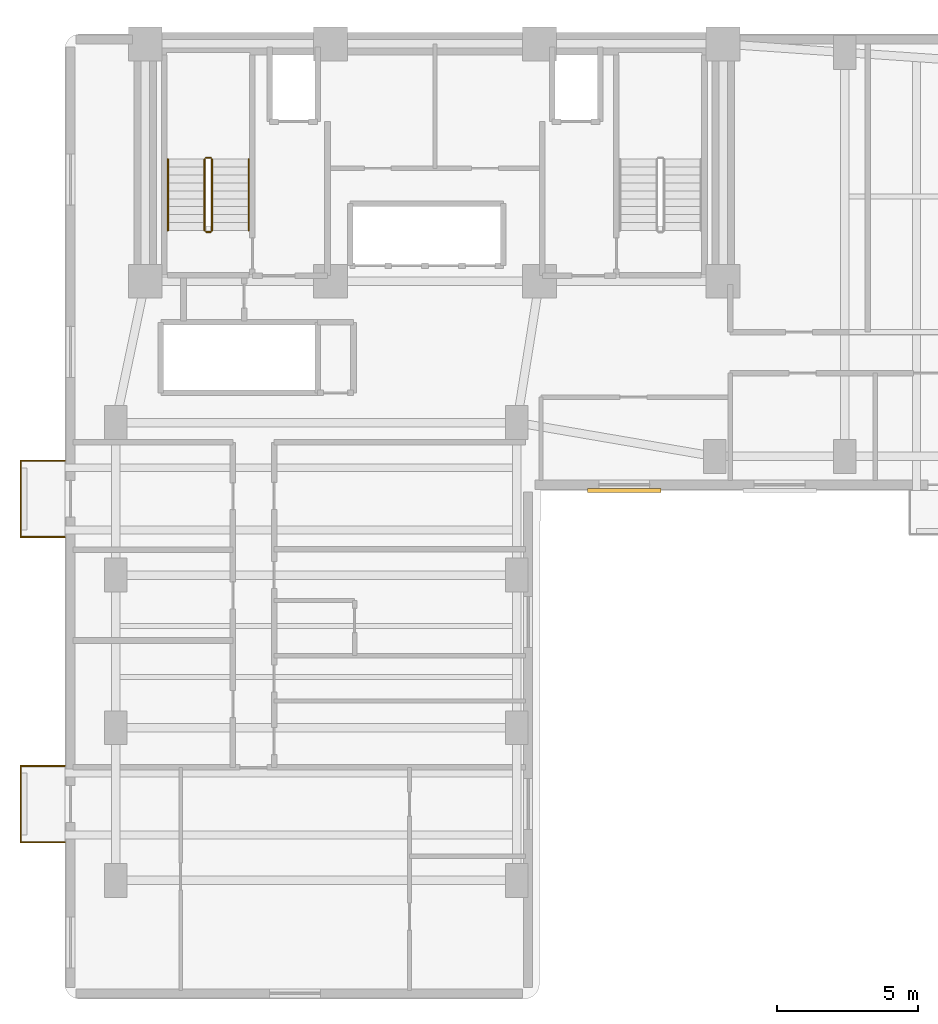
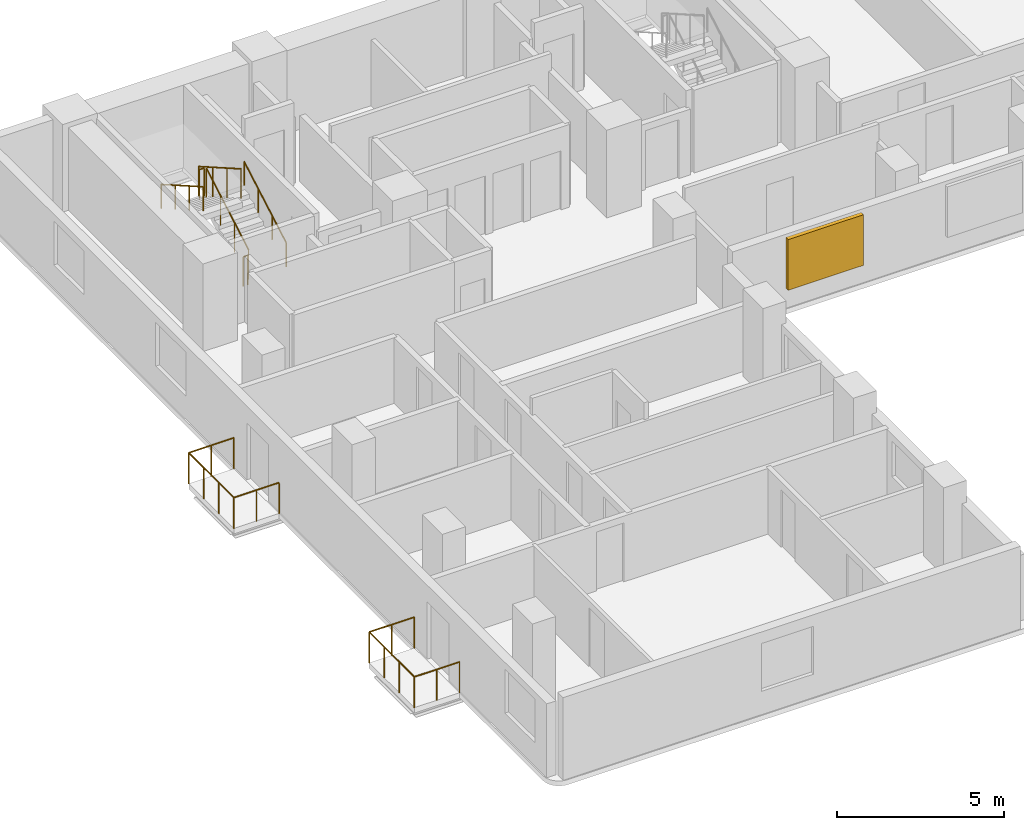
# One storey, part 7 of 9: 12 railings, 1 shading device.
"""IFC4 building model written with IfcOpenShell, lengths in metres."""

from ifc_helpers import new_model, si_unit, direction, frame, origin, origin_2d, place, context, subcontext, project, spatial, rectangle, circle, extrude, material, layer, layer_set, type_object, element, save


model = new_model("IFC4")

# Units and contexts
model_context = context("Model", 3, precision=1e-05, world=origin(), true_north=direction((0.0, 1.0)))
body_context = subcontext(model_context, "Body", "Model", "MODEL_VIEW")
ifc_project = project(units=[si_unit("LENGTHUNIT", "METRE"), si_unit("AREAUNIT", "SQUARE_METRE"), si_unit("VOLUMEUNIT", "CUBIC_METRE"), si_unit("PLANEANGLEUNIT", "RADIAN"), si_unit("MASSUNIT", "GRAM", prefix="KILO")], contexts=[model_context])

# Site, building, storey
site_placement = place(None, origin())
site = spatial("IfcSite", under=ifc_project, at=site_placement, CompositionType="ELEMENT")
building_placement = place(site_placement, origin())
building = spatial("IfcBuilding", under=site, at=building_placement, Name="Kuzgunbayir Cultural Tower", CompositionType="ELEMENT")
storey_placement = place(building_placement, frame((0.0, 0.0, 89.800048828125)))
storey = spatial("IfcBuildingStorey", under=building, at=storey_placement, Name="L25", CompositionType="ELEMENT", Elevation=89.800048828125)

# Railings
ifc_material_1 = material(Name="Laminated Glass and Stainless Steel", Category="steel")
ifc_layer_1 = layer(ifc_material_1, 0.080078125)
ifc_layer_set_1 = layer_set([ifc_layer_1], Name="Laminated Glass and Stainless Steel")
railing_type_1 = type_object("IfcRailingType", Name="RLG-BAL-115", PredefinedType="BALUSTRADE", material=ifc_layer_set_1)
railing_1_placement = place(storey_placement, frame((3.60009765625, 13.949951171875, 0.0)))
element("IfcRailing", 1, at=railing_1_placement, inside=storey, type_object=railing_type_1, Name="L25 Balcony Guard BAL-L25-WA1 Segment 1", PredefinedType="BALUSTRADE", context=body_context, shape_type="SweptSolid", body=[
    extrude(circle(Radius=0.02392578125, at=origin_2d()), frame((0.0, 0.0, 1.1259765625), z_axis=(-1.0, 0.0, 0.0), x_axis=(0.0, -1.0, 0.0)), (0.0, 0.0, 1.0), 1.56005859375),
    extrude(circle(Radius=0.02099609375, at=origin_2d()), origin(), (0.0, 0.0, 1.0), 1.101806640625),
    extrude(circle(Radius=0.02099609375, at=origin_2d()), frame((-0.780029296875, 0.0, 0.0)), (0.0, 0.0, 1.0), 1.101806640625),
    extrude(circle(Radius=0.02099609375, at=origin_2d()), frame((-1.56005859375, 0.0, 0.0)), (0.0, 0.0, 1.0), 1.101806640625),
])
railing_2_placement = place(storey_placement, frame((2.0400390625, 13.949951171875, 0.0)))
element("IfcRailing", 2, at=railing_2_placement, inside=storey, type_object=railing_type_1, Name="L25 Balcony Guard BAL-L25-WA1 Segment 2", PredefinedType="BALUSTRADE", context=body_context, shape_type="SweptSolid", body=[
    extrude(circle(Radius=0.02392578125, at=origin_2d()), frame((0.0, 0.0, 1.1259765625), z_axis=(0.0, 1.0, 0.0), x_axis=(-1.0, 0.0, 0.0)), (0.0, 0.0, 1.0), 2.699951171875),
    extrude(circle(Radius=0.02099609375, at=origin_2d()), origin(), (0.0, 0.0, 1.0), 1.101806640625),
    extrude(circle(Radius=0.02099609375, at=origin_2d()), frame((0.0, 0.89990234375, 0.0)), (0.0, 0.0, 1.0), 1.101806640625),
    extrude(circle(Radius=0.02099609375, at=origin_2d()), frame((0.0, 1.800048828125, 0.0)), (0.0, 0.0, 1.0), 1.101806640625),
    extrude(circle(Radius=0.02099609375, at=origin_2d()), frame((0.0, 2.699951171875, 0.0)), (0.0, 0.0, 1.0), 1.101806640625),
])
railing_3_placement = place(storey_placement, frame((2.0400390625, 16.64990234375, 0.0)))
element("IfcRailing", 3, at=railing_3_placement, inside=storey, type_object=railing_type_1, Name="L25 Balcony Guard BAL-L25-WA1 Segment 3", PredefinedType="BALUSTRADE", context=body_context, shape_type="SweptSolid", body=[
    extrude(circle(Radius=0.02392578125, at=origin_2d()), frame((0.0, 0.0, 1.1259765625), z_axis=(1.0, 0.0, 0.0), x_axis=(0.0, 1.0, 0.0)), (0.0, 0.0, 1.0), 1.56005859375),
    extrude(circle(Radius=0.02099609375, at=origin_2d()), origin(), (0.0, 0.0, 1.0), 1.101806640625),
    extrude(circle(Radius=0.02099609375, at=origin_2d()), frame((0.780029296875, 0.0, 0.0)), (0.0, 0.0, 1.0), 1.101806640625),
    extrude(circle(Radius=0.02099609375, at=origin_2d()), frame((1.56005859375, 0.0, 0.0)), (0.0, 0.0, 1.0), 1.101806640625),
])
railing_4_placement = place(storey_placement, frame((3.60009765625, 24.75, 0.0)))
element("IfcRailing", 4, at=railing_4_placement, inside=storey, type_object=railing_type_1, Name="L25 Balcony Guard BAL-L25-WA3 Segment 1", PredefinedType="BALUSTRADE", context=body_context, shape_type="SweptSolid", body=[
    extrude(circle(Radius=0.02392578125, at=origin_2d()), frame((0.0, 0.0, 1.1259765625), z_axis=(-1.0, 0.0, 0.0), x_axis=(0.0, -1.0, 0.0)), (0.0, 0.0, 1.0), 1.56005859375),
    extrude(circle(Radius=0.02099609375, at=origin_2d()), origin(), (0.0, 0.0, 1.0), 1.101806640625),
    extrude(circle(Radius=0.02099609375, at=origin_2d()), frame((-0.780029296875, 0.0, 0.0)), (0.0, 0.0, 1.0), 1.101806640625),
    extrude(circle(Radius=0.02099609375, at=origin_2d()), frame((-1.56005859375, 0.0, 0.0)), (0.0, 0.0, 1.0), 1.101806640625),
])
railing_5_placement = place(storey_placement, frame((2.0400390625, 24.75, 0.0)))
element("IfcRailing", 5, at=railing_5_placement, inside=storey, type_object=railing_type_1, Name="L25 Balcony Guard BAL-L25-WA3 Segment 2", PredefinedType="BALUSTRADE", context=body_context, shape_type="SweptSolid", body=[
    extrude(circle(Radius=0.02392578125, at=origin_2d()), frame((0.0, 0.0, 1.1259765625), z_axis=(0.0, 1.0, 0.0), x_axis=(-1.0, 0.0, 0.0)), (0.0, 0.0, 1.0), 2.699951171875),
    extrude(circle(Radius=0.02099609375, at=origin_2d()), origin(), (0.0, 0.0, 1.0), 1.101806640625),
    extrude(circle(Radius=0.02099609375, at=origin_2d()), frame((0.0, 0.89990234375, 0.0)), (0.0, 0.0, 1.0), 1.101806640625),
    extrude(circle(Radius=0.02099609375, at=origin_2d()), frame((0.0, 1.800048828125, 0.0)), (0.0, 0.0, 1.0), 1.101806640625),
    extrude(circle(Radius=0.02099609375, at=origin_2d()), frame((0.0, 2.699951171875, 0.0)), (0.0, 0.0, 1.0), 1.101806640625),
])
railing_6_placement = place(storey_placement, frame((2.0400390625, 27.449951171875, 0.0)))
element("IfcRailing", 6, at=railing_6_placement, inside=storey, type_object=railing_type_1, Name="L25 Balcony Guard BAL-L25-WA3 Segment 3", PredefinedType="BALUSTRADE", context=body_context, shape_type="SweptSolid", body=[
    extrude(circle(Radius=0.02392578125, at=origin_2d()), frame((0.0, 0.0, 1.1259765625), z_axis=(1.0, 0.0, 0.0), x_axis=(0.0, 1.0, 0.0)), (0.0, 0.0, 1.0), 1.56005859375),
    extrude(circle(Radius=0.02099609375, at=origin_2d()), origin(), (0.0, 0.0, 1.0), 1.101806640625),
    extrude(circle(Radius=0.02099609375, at=origin_2d()), frame((0.780029296875, 0.0, 0.0)), (0.0, 0.0, 1.0), 1.101806640625),
    extrude(circle(Radius=0.02099609375, at=origin_2d()), frame((1.56005859375, 0.0, 0.0)), (0.0, 0.0, 1.0), 1.101806640625),
])
ifc_material_2 = material(Name="Brushed Stainless Steel", Category="steel")
ifc_layer_2 = layer(ifc_material_2, 0.050048828125)
ifc_layer_set_2 = layer_set([ifc_layer_2], Name="Brushed Stainless Steel")
railing_type_2 = type_object("IfcRailingType", Name="RLG-STAIR-HANDRAIL", PredefinedType="HANDRAIL", material=ifc_layer_set_2)
railing_7_placement = place(storey_placement, frame((10.110107421875, 35.60009765625, 0.159912109375)))
element("IfcRailing", 7, at=railing_7_placement, inside=storey, type_object=railing_type_2, Name="L25 ST-1 stair handrail 1", PredefinedType="HANDRAIL", context=body_context, shape_type="SweptSolid", body=[
    extrude(circle(Radius=0.02392578125, at=origin_2d()), frame((0.0, 0.0, 0.8759765625), z_axis=(0.0, 0.868253494771, 0.496120820787), x_axis=(-1.0, 0.0, 0.0)), (0.0, 0.0, 1.0), 2.90234375),
    extrude(circle(Radius=0.02099609375, at=origin_2d()), origin(), (0.0, 0.0, 1.0), 0.851806640625),
    extrude(circle(Radius=0.02099609375, at=origin_2d()), frame((0.0, 0.840087890625, 0.47998046875)), (0.0, 0.0, 1.0), 0.851806640625),
    extrude(circle(Radius=0.02099609375, at=origin_2d()), frame((0.0, 1.679931640625, 0.9599609375)), (0.0, 0.0, 1.0), 0.851806640625),
    extrude(circle(Radius=0.02099609375, at=origin_2d()), frame((0.0, 2.52001953125, 1.43994140625)), (0.0, 0.0, 1.0), 0.851806640625),
])
railing_8_placement = place(storey_placement, frame((7.25, 38.1201171875, 1.760009765625)))
element("IfcRailing", 8, at=railing_8_placement, inside=storey, type_object=railing_type_2, Name="L25 ST-1 stair handrail 2", PredefinedType="HANDRAIL", context=body_context, shape_type="SweptSolid", body=[
    extrude(circle(Radius=0.02392578125, at=origin_2d()), frame((0.0, 0.0, 0.8759765625), z_axis=(0.0, -0.868253494771, 0.496120820787), x_axis=(1.0, 0.0, 0.0)), (0.0, 0.0, 1.0), 2.90234375),
    extrude(circle(Radius=0.02099609375, at=origin_2d()), origin(), (0.0, 0.0, 1.0), 0.851806640625),
    extrude(circle(Radius=0.02099609375, at=origin_2d()), frame((0.0, -0.840087890625, 0.47998046875)), (0.0, 0.0, 1.0), 0.851806640625),
    extrude(circle(Radius=0.02099609375, at=origin_2d()), frame((0.0, -1.679931640625, 0.9599609375)), (0.0, 0.0, 1.0), 0.851806640625),
    extrude(circle(Radius=0.02099609375, at=origin_2d()), frame((0.0, -2.52001953125, 1.43994140625)), (0.0, 0.0, 1.0), 0.851806640625),
])
ifc_material_3 = material(Name="Painted Steel Balustrade", Category="steel")
ifc_layer_3 = layer(ifc_material_3, 0.06005859375)
ifc_layer_set_3 = layer_set([ifc_layer_3], Name="Painted Steel Balustrade")
railing_type_3 = type_object("IfcRailingType", Name="RLG-WELL-GUARD", PredefinedType="GUARDRAIL", material=ifc_layer_set_3)
railing_9_placement = place(storey_placement, frame((8.81005859375, 35.60009765625, 0.159912109375)))
element("IfcRailing", 9, at=railing_9_placement, inside=storey, type_object=railing_type_3, Name="L25 ST-1 stair guard 1", PredefinedType="GUARDRAIL", context=body_context, shape_type="SweptSolid", body=[
    extrude(circle(Radius=0.02392578125, at=origin_2d()), frame((0.0, 0.0, 1.076171875), z_axis=(0.0, 0.868253494771, 0.496120820787), x_axis=(-1.0, 0.0, 0.0)), (0.0, 0.0, 1.0), 2.90234375),
    extrude(circle(Radius=0.02099609375, at=origin_2d()), origin(), (0.0, 0.0, 1.0), 1.052001953125),
    extrude(circle(Radius=0.02099609375, at=origin_2d()), frame((0.0, 0.840087890625, 0.47998046875)), (0.0, 0.0, 1.0), 1.052001953125),
    extrude(circle(Radius=0.02099609375, at=origin_2d()), frame((0.0, 1.679931640625, 0.9599609375)), (0.0, 0.0, 1.0), 1.052001953125),
    extrude(circle(Radius=0.02099609375, at=origin_2d()), frame((0.0, 2.52001953125, 1.43994140625)), (0.0, 0.0, 1.0), 1.052001953125),
])
railing_10_placement = place(storey_placement, frame((8.760009765625, 38.169921875, 1.599853515625)))
element("IfcRailing", 10, at=railing_10_placement, inside=storey, type_object=railing_type_3, Name="L25 ST-1 stair guard 2", PredefinedType="GUARDRAIL", context=body_context, shape_type="SweptSolid", body=[
    extrude(circle(Radius=0.02392578125, at=origin_2d()), frame((0.0, 0.0, 1.076171875), z_axis=(-1.0, 0.0, 0.0), x_axis=(0.0, -1.0, 0.0)), (0.0, 0.0, 1.0), 0.159912109375),
    extrude(circle(Radius=0.02099609375, at=origin_2d()), origin(), (0.0, 0.0, 1.0), 1.052001953125),
    extrude(circle(Radius=0.02099609375, at=origin_2d()), frame((-0.159912109375, 0.0, 0.0)), (0.0, 0.0, 1.0), 1.052001953125),
])
railing_11_placement = place(storey_placement, frame((8.550048828125, 38.1201171875, 1.760009765625)))
element("IfcRailing", 11, at=railing_11_placement, inside=storey, type_object=railing_type_3, Name="L25 ST-1 stair guard 3", PredefinedType="GUARDRAIL", context=body_context, shape_type="SweptSolid", body=[
    extrude(circle(Radius=0.02392578125, at=origin_2d()), frame((0.0, 0.0, 1.076171875), z_axis=(0.0, -0.868253494771, 0.496120820787), x_axis=(1.0, 0.0, 0.0)), (0.0, 0.0, 1.0), 2.90234375),
    extrude(circle(Radius=0.02099609375, at=origin_2d()), origin(), (0.0, 0.0, 1.0), 1.052001953125),
    extrude(circle(Radius=0.02099609375, at=origin_2d()), frame((0.0, -0.840087890625, 0.47998046875)), (0.0, 0.0, 1.0), 1.052001953125),
    extrude(circle(Radius=0.02099609375, at=origin_2d()), frame((0.0, -1.679931640625, 0.9599609375)), (0.0, 0.0, 1.0), 1.052001953125),
    extrude(circle(Radius=0.02099609375, at=origin_2d()), frame((0.0, -2.52001953125, 1.43994140625)), (0.0, 0.0, 1.0), 1.052001953125),
])
railing_12_placement = place(storey_placement, frame((8.760009765625, 35.550048828125, 0.0)))
element("IfcRailing", 12, at=railing_12_placement, inside=storey, type_object=railing_type_3, Name="L25 ST-1 stair guard 4", PredefinedType="GUARDRAIL", context=body_context, shape_type="SweptSolid", body=[
    extrude(circle(Radius=0.02392578125, at=origin_2d()), frame((0.0, 0.0, 1.076171875), z_axis=(-1.0, 0.0, 0.0), x_axis=(0.0, -1.0, 0.0)), (0.0, 0.0, 1.0), 0.159912109375),
    extrude(circle(Radius=0.02099609375, at=origin_2d()), origin(), (0.0, 0.0, 1.0), 1.052001953125),
    extrude(circle(Radius=0.02099609375, at=origin_2d()), frame((-0.159912109375, 0.0, 0.0)), (0.0, 0.0, 1.0), 1.052001953125),
])

# Shading device
ifc_material_4 = material(Name="Perforated Bronze-Anodised Aluminium", Category="aluminium")
shading_device_type = type_object("IfcShadingDeviceType", Name="SHD-SOLAR-BRONZE", PredefinedType="JALOUSIE", material=ifc_material_4)
shading_device_placement = place(storey_placement, frame((23.39990234375, 26.389892578125, 0.724853515625), z_axis=(0.0, 0.0, 1.0), x_axis=(1.0, 0.0, 0.0)))
element("IfcShadingDevice", 13, at=shading_device_placement, inside=storey, type_object=shading_device_type, Name="L25 Solar Screen WBS9", PredefinedType="JALOUSIE", context=body_context, shape_type="SweptSolid", body=[
    extrude(rectangle(XDim=2.60009765625, YDim=0.139892578125, at=origin_2d()), origin(), (0.0, 0.0, 1.0), 1.85009765625),
])

save(model, "model.ifc")
